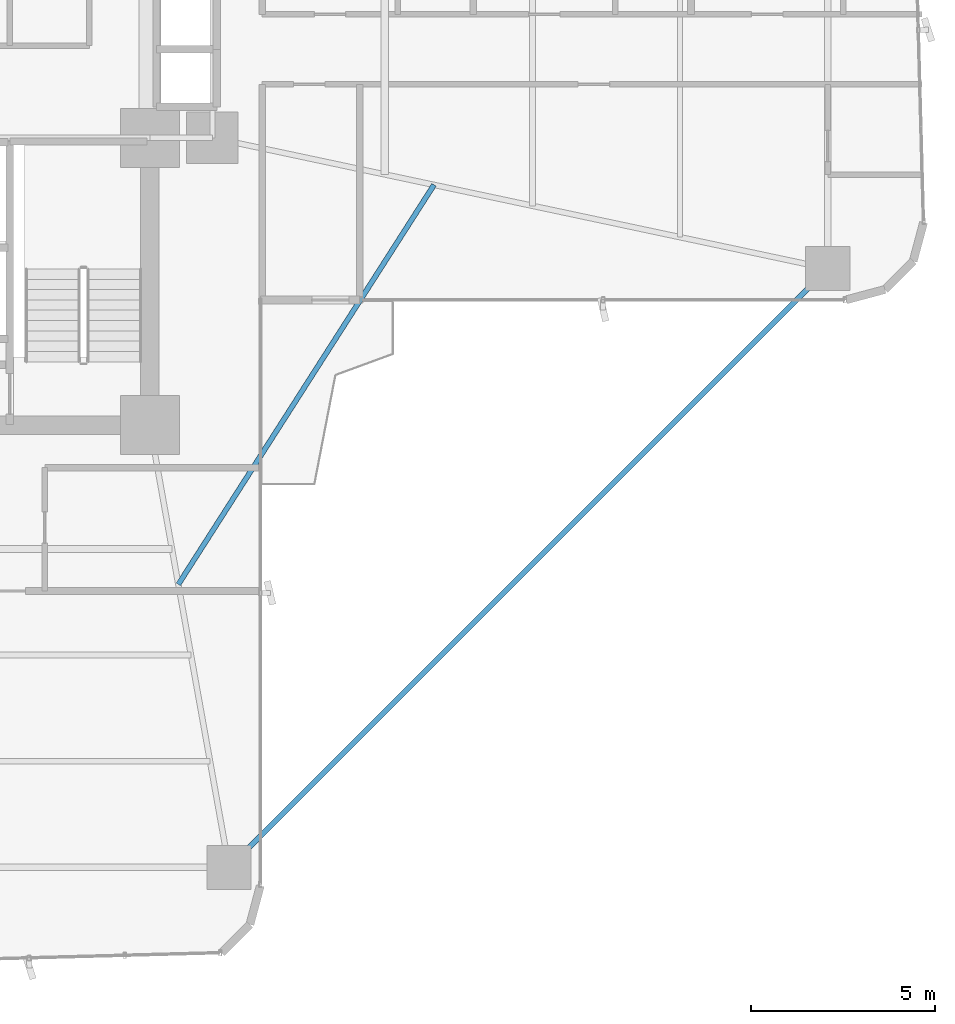
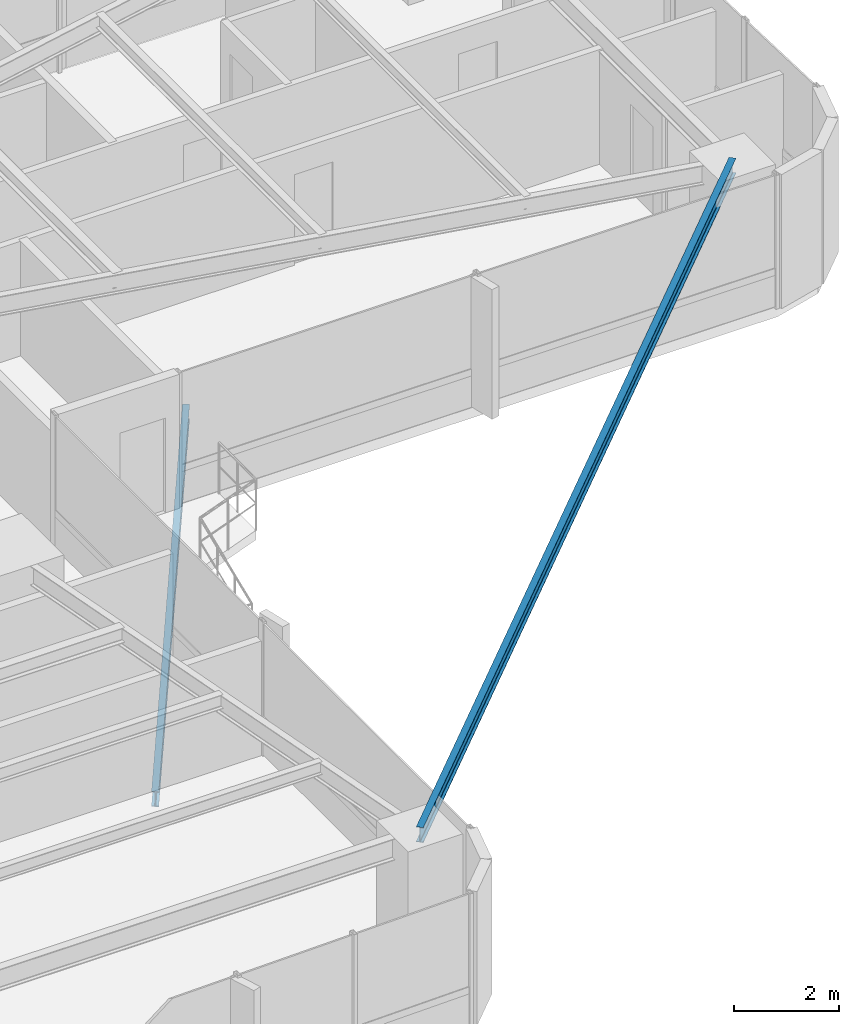
# One storey, part 13 of 26: 2 beams.
"""IFC4 building model written with IfcOpenShell, lengths in metres."""

from ifc_helpers import new_model, si_unit, direction, frame, origin, origin_2d, place, context, subcontext, project, spatial, i_section, extrude, source, transform, mapped, material, material_profile, profile_set, type_object, element, save


model = new_model("IFC4")

# Units and contexts
model_context = context("Model", 3, precision=1e-05, world=origin(), true_north=direction((0.0, 1.0)))
body_context = subcontext(model_context, "Body", "Model", "MODEL_VIEW")
ifc_project = project(units=[si_unit("LENGTHUNIT", "METRE"), si_unit("AREAUNIT", "SQUARE_METRE"), si_unit("VOLUMEUNIT", "CUBIC_METRE"), si_unit("PLANEANGLEUNIT", "RADIAN"), si_unit("MASSUNIT", "GRAM", prefix="KILO")], contexts=[model_context])

# Site, building, storey
site_placement = place(None, origin())
site = spatial("IfcSite", under=ifc_project, at=site_placement, CompositionType="ELEMENT")
building_placement = place(site_placement, origin())
building = spatial("IfcBuilding", under=site, at=building_placement, Name="Sahyath Konkavel Grand Hotel", CompositionType="ELEMENT")
storey_placement = place(building_placement, frame((0.0, 0.0, 26.449951171875)))
storey = spatial("IfcBuildingStorey", under=building, at=storey_placement, Name="L06", CompositionType="ELEMENT", Elevation=26.449951171875)

# Beams
ifc_material = material(Name="Steel E350", Category="steel")
ifc_material_profile_1 = material_profile(ifc_material, i_section(OverallWidth=0.139892578125, OverallDepth=0.35009765625, WebThickness=0.008056640625, FlangeThickness=0.01416015625, FilletRadius=0.013916015625, at=origin_2d()), Name="ISMB 350")
ifc_profile_set_1 = profile_set([ifc_material_profile_1], Name="Steel E350")
beam_type_1 = type_object("IfcBeamType", Name="BM-ISMB350", PredefinedType="BEAM", material=ifc_profile_set_1)
shared_shape_1 = source(origin(), body_context, "Body", "SweptSolid", [
    extrude(i_section(OverallWidth=0.139892578125, OverallDepth=0.35009765625, WebThickness=0.008056640625, FlangeThickness=0.01416015625, FilletRadius=0.013916015625, at=origin_2d()), origin(), (0.0, 0.0, 1.0), 22.98095703125),
])
beam_1_placement = place(storey_placement, frame((22.199951171875, -5.949951171875, 2.93505859375), z_axis=(-0.707106781187, -0.707106781187, 0.0), x_axis=(0.707106781187, -0.707106781187, 0.0)))
element("IfcBeam", 1, at=beam_1_placement, inside=storey, type_object=beam_type_1, Name="L06 Re-Entrant Tie Beam SE", PredefinedType="BEAM", context=body_context, shape_type="MappedRepresentation", body=[
    mapped(shared_shape_1, transform((0.0, 0.0, 0.0), scale=1.0)),
])
ifc_material_profile_2 = material_profile(ifc_material, i_section(OverallWidth=0.139892578125, OverallDepth=0.35009765625, WebThickness=0.008056640625, FlangeThickness=0.01416015625, FilletRadius=0.013916015625, at=origin_2d()), Name="ISMB 350")
ifc_profile_set_2 = profile_set([ifc_material_profile_2], Name="Steel E350")
beam_type_2 = type_object("IfcBeamType", Name="BM-BALC-CANT", PredefinedType="BEAM", material=ifc_profile_set_2)
shared_shape_2 = source(origin(), body_context, "Body", "SweptSolid", [
    extrude(i_section(OverallWidth=0.139892578125, OverallDepth=0.35009765625, WebThickness=0.008056640625, FlangeThickness=0.01416015625, FilletRadius=0.013916015625, at=origin_2d()), origin(), (0.0, 0.0, 1.0), 12.871826171875),
])
beam_2_placement = place(storey_placement, frame((4.573974609375, -14.52001953125, -0.4150390625), z_axis=(0.539003102535, 0.842303778608, 0.0), x_axis=(-0.842303778608, 0.539003102535, 0.0)))
element("IfcBeam", 2, at=beam_2_placement, inside=storey, type_object=beam_type_2, Name="L06 Balcony Cantilever Support Beam SE", PredefinedType="BEAM", context=body_context, shape_type="MappedRepresentation", body=[
    mapped(shared_shape_2, transform((0.0, 0.0, 0.0), scale=1.0)),
])

save(model, "model.ifc")
